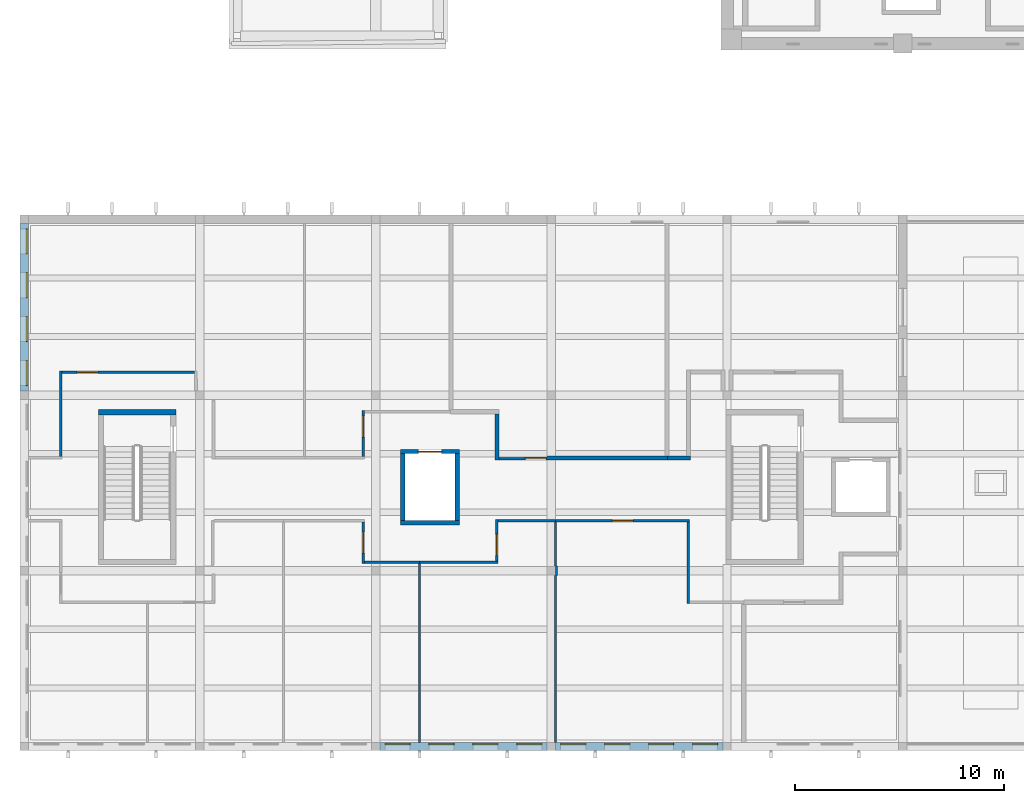
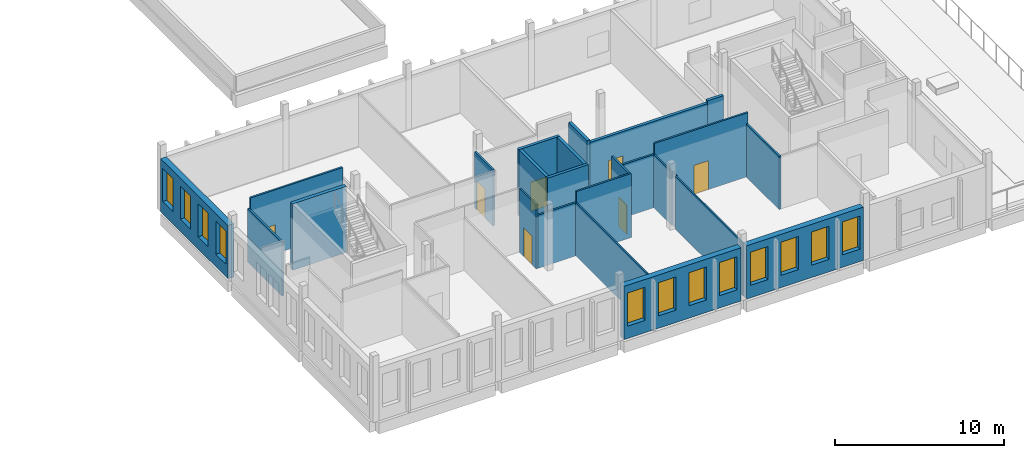
# One storey, part 9 of 79: 25 walls, 12 windows, 7 doors, 19 openings.
"""IFC4 building model written with IfcOpenShell, lengths in metres."""

from ifc_helpers import new_model, si_unit, direction, frame, frame_2d, origin, place, context, subcontext, project, spatial, rectangle, extrude, material, layer, layer_set, type_object, element, fill, save


model = new_model("IFC4")

# Units and contexts
model_context = context("Model", 3, precision=1e-05, world=origin(), true_north=direction((0.0, 1.0)))
body_context = subcontext(model_context, "Body", "Model", "MODEL_VIEW")
ifc_project = project(units=[si_unit("LENGTHUNIT", "METRE"), si_unit("AREAUNIT", "SQUARE_METRE"), si_unit("VOLUMEUNIT", "CUBIC_METRE"), si_unit("PLANEANGLEUNIT", "RADIAN"), si_unit("MASSUNIT", "GRAM", prefix="KILO")], contexts=[model_context])

# Site, building, storey
site_placement = place(None, origin())
site = spatial("IfcSite", under=ifc_project, at=site_placement, CompositionType="ELEMENT")
building_placement = place(site_placement, origin())
building = spatial("IfcBuilding", under=site, at=building_placement, Name="Larchfold Concert Hall", CompositionType="ELEMENT")
storey_placement = place(building_placement, frame((0.0, 0.0, 14.39990234375)))
storey = spatial("IfcBuildingStorey", under=building, at=storey_placement, Name="L03", CompositionType="ELEMENT", Elevation=14.39990234375)

# Wall
ifc_material_1 = material(Name="Plasterboard partition on steel studs", Category="steel")
ifc_layer_1 = layer(ifc_material_1, 0.199951171875)
ifc_layer_set_1 = layer_set([ifc_layer_1], Name="Plasterboard partition on steel studs")
wall_type_1 = type_object("IfcWallType", Name="Acoustic partition 200", PredefinedType="PARTITIONING", material=ifc_layer_set_1)
wall_1_placement = place(storey_placement, frame((23.198974609375, 16.4990234375, 0.0), z_axis=(0.0, 0.0, 1.0), x_axis=(0.000443901854, -0.999999901476, 0.0)))
element("IfcWall", 1, at=wall_1_placement, inside=storey, type_object=wall_type_1, Name="Partition IW0092", PredefinedType="PARTITIONING", context=body_context, shape_type="SweptSolid", body=[
    extrude(rectangle(XDim=2.199951171875, YDim=0.199951171875, at=frame_2d((1.10009765625, 0.0))), origin(), (0.0, 0.0, 1.0), 4.06005859375),
])

# Wall, opening, door
wall_2_placement = place(storey_placement, frame((23.300048828125, 14.39892578125, 0.0), z_axis=(0.0, 0.0, 1.0), x_axis=(1.0, 0.0, 0.0)))
wall_2 = element("IfcWall", 2, at=wall_2_placement, inside=storey, type_object=wall_type_1, Name="Partition IW0093", PredefinedType="PARTITIONING", context=body_context, shape_type="SweptSolid", body=[
    extrude(rectangle(XDim=8.052978515625, YDim=0.199951171875, at=frame_2d((4.0263671875, 0.0))), origin(), (0.0, 0.0, 1.0), 3.860107421875),
])
opening_1_placement = place(wall_2_placement, frame((1.257080078125, 0.0, 0.0)))
opening_1 = element("IfcOpeningElement", 3, at=opening_1_placement, cuts=wall_2, Name="Opening D-L03-126", PredefinedType="OPENING", context=body_context, shape_type="SweptSolid", body=[
    extrude(rectangle(XDim=1.0, YDim=2.10009765625, at=frame_2d((0.5, 1.050048828125))), frame((0.0, 0.10986328125, 0.0), z_axis=(0.0, -1.0, 0.0), x_axis=(1.0, 0.0, 0.0)), (0.0, 0.0, 1.0), 0.219970703125),
])
ifc_material_2 = material(Name="Timber door leaf", Category="wood")
door_type_1 = type_object("IfcDoorType", Name="Practice and studio door, acoustic 1000 x 2100 FD30S", OperationType="SINGLE_SWING_LEFT", PredefinedType="DOOR", material=ifc_material_2)
door_1_placement = place(opening_1_placement, origin())
door_1 = element("IfcDoor", 4, at=door_1_placement, inside=storey, type_object=door_type_1, Name="Door D-L03-126", OperationType="SINGLE_SWING_LEFT", OverallHeight=2.10009765625, OverallWidth=1.0, PredefinedType="DOOR", context=body_context, shape_type="SweptSolid", body=[
    extrude(rectangle(XDim=1.0, YDim=2.10009765625, at=frame_2d((0.5, 1.050048828125))), frame((0.0, 0.02490234375, 0.0), z_axis=(0.0, -1.0, 0.0), x_axis=(1.0, 0.0, 0.0)), (0.0, 0.0, 1.0), 0.050048828125),
])
fill(opening_1, door_1)

# Wall
wall_3_placement = place(storey_placement, frame((31.35302734375, 14.39892578125, 0.0), z_axis=(0.0, 0.0, 1.0), x_axis=(1.0, 0.0, 0.0)))
element("IfcWall", 5, at=wall_3_placement, inside=storey, type_object=wall_type_1, Name="Partition IW0099", PredefinedType="PARTITIONING", context=body_context, shape_type="SweptSolid", body=[
    extrude(rectangle(XDim=1.096923828125, YDim=0.199951171875, at=frame_2d((0.54833984375, 0.0))), origin(), (0.0, 0.0, 1.0), 4.06005859375),
])

# Wall, opening, door
ifc_material_3 = material(Name="Plasterboard partition on steel studs", Category="steel")
ifc_layer_2 = layer(ifc_material_3, 0.125)
ifc_layer_set_2 = layer_set([ifc_layer_2], Name="Plasterboard partition on steel studs")
wall_type_2 = type_object("IfcWallType", Name="Corridor partition 125 EI 60", PredefinedType="PARTITIONING", material=ifc_layer_set_2)
wall_4_placement = place(storey_placement, frame((16.800048828125, 11.33740234375, 0.0), z_axis=(0.0, 0.0, 1.0), x_axis=(0.0, -1.0, 0.0)))
wall_4 = element("IfcWall", 6, at=wall_4_placement, inside=storey, type_object=wall_type_2, Name="Partition IW0067", PredefinedType="PARTITIONING", context=body_context, shape_type="SweptSolid", body=[
    extrude(rectangle(XDim=2.0, YDim=0.125, at=frame_2d((1.0, 0.0))), origin(), (0.0, 0.0, 1.0), 4.64013671875),
])
opening_2_placement = place(wall_4_placement, frame((0.487548828125, 0.0, 0.0)))
opening_2 = element("IfcOpeningElement", 7, at=opening_2_placement, cuts=wall_4, Name="Opening D-L03-120", PredefinedType="OPENING", context=body_context, shape_type="SweptSolid", body=[
    extrude(rectangle(XDim=1.0, YDim=2.10009765625, at=frame_2d((0.5, 1.050048828125))), frame((0.0, 0.072509765625, 0.0), z_axis=(0.0, -1.0, 0.0), x_axis=(1.0, 0.0, 0.0)), (0.0, 0.0, 1.0), 0.14501953125),
])
ifc_material_4 = material(Name="Timber door leaf", Category="wood")
door_type_2 = type_object("IfcDoorType", Name="Room door 1000 x 2100 FD30S", OperationType="SINGLE_SWING_LEFT", PredefinedType="DOOR", material=ifc_material_4)
door_2_placement = place(opening_2_placement, origin())
door_2 = element("IfcDoor", 8, at=door_2_placement, inside=storey, type_object=door_type_2, Name="Door D-L03-120", OperationType="SINGLE_SWING_LEFT", OverallHeight=2.10009765625, OverallWidth=1.0, PredefinedType="DOOR", context=body_context, shape_type="SweptSolid", body=[
    extrude(rectangle(XDim=1.0, YDim=2.10009765625, at=frame_2d((0.5, 1.050048828125))), frame((0.0, 0.02490234375, 0.0), z_axis=(0.0, -1.0, 0.0), x_axis=(1.0, 0.0, 0.0)), (0.0, 0.0, 1.0), 0.050048828125),
])
fill(opening_2, door_2)

# Wall
wall_5_placement = place(storey_placement, frame((16.862548828125, 9.39990234375, 0.0), z_axis=(0.0, 0.0, 1.0), x_axis=(1.0, 0.0, 0.0)))
element("IfcWall", 9, at=wall_5_placement, inside=storey, type_object=wall_type_2, Name="Partition IW0068", PredefinedType="PARTITIONING", context=body_context, shape_type="SweptSolid", body=[
    extrude(rectangle(XDim=2.637451171875, YDim=0.125, at=frame_2d((1.31884765625, 0.0))), origin(), (0.0, 0.0, 1.0), 3.860107421875),
])

# Wall, opening, door
wall_6_placement = place(storey_placement, frame((26.0, 11.39990234375, 0.0), z_axis=(0.0, 0.0, 1.0), x_axis=(1.0, 0.0, 0.0)))
wall_6 = element("IfcWall", 10, at=wall_6_placement, inside=storey, type_object=wall_type_2, Name="Partition IW0072", PredefinedType="PARTITIONING", context=body_context, shape_type="SweptSolid", body=[
    extrude(rectangle(XDim=6.41259765625, YDim=0.125, at=frame_2d((3.206298828125, 0.0))), origin(), (0.0, 0.0, 1.0), 4.64013671875),
])
opening_3_placement = place(wall_6_placement, frame((2.715576171875, 0.0, 0.0)))
opening_3 = element("IfcOpeningElement", 11, at=opening_3_placement, cuts=wall_6, Name="Opening D-L03-121", PredefinedType="OPENING", context=body_context, shape_type="SweptSolid", body=[
    extrude(rectangle(XDim=1.0, YDim=2.10009765625, at=frame_2d((0.5, 1.050048828125))), frame((0.0, 0.072509765625, 0.0), z_axis=(0.0, -1.0, 0.0), x_axis=(1.0, 0.0, 0.0)), (0.0, 0.0, 1.0), 0.14501953125),
])
door_3_placement = place(opening_3_placement, origin())
door_3 = element("IfcDoor", 12, at=door_3_placement, inside=storey, type_object=door_type_2, Name="Door D-L03-121", OperationType="SINGLE_SWING_RIGHT", OverallHeight=2.10009765625, OverallWidth=1.0, PredefinedType="DOOR", context=body_context, shape_type="SweptSolid", body=[
    extrude(rectangle(XDim=1.0, YDim=2.10009765625, at=frame_2d((0.5, 1.050048828125))), frame((0.0, 0.02490234375, 0.0), z_axis=(0.0, -1.0, 0.0), x_axis=(1.0, 0.0, 0.0)), (0.0, 0.0, 1.0), 0.050048828125),
])
fill(opening_3, door_3)

# Walls
wall_7_placement = place(storey_placement, frame((32.35009765625, 11.33740234375, 0.0), z_axis=(0.0, 0.0, 1.0), x_axis=(0.0, -1.0, 0.0)))
element("IfcWall", 13, at=wall_7_placement, inside=storey, type_object=wall_type_2, Name="Partition IW0073", PredefinedType="PARTITIONING", context=body_context, shape_type="SweptSolid", body=[
    extrude(rectangle(XDim=3.89990234375, YDim=0.125, at=frame_2d((1.949951171875, 0.0))), origin(), (0.0, 0.0, 1.0), 3.860107421875),
])
wall_8_placement = place(storey_placement, frame((19.5, 9.39990234375, 0.0), z_axis=(0.0, 0.0, 1.0), x_axis=(1.0, 0.0, 0.0)))
element("IfcWall", 14, at=wall_8_placement, inside=storey, type_object=wall_type_2, Name="Partition IW0082", PredefinedType="PARTITIONING", context=body_context, shape_type="SweptSolid", body=[
    extrude(rectangle(XDim=3.762451171875, YDim=0.125, at=frame_2d((1.88134765625, 0.0))), origin(), (0.0, 0.0, 1.0), 4.64013671875),
])

# Wall, opening, door
wall_9_placement = place(storey_placement, frame((23.199951171875, 9.46240234375, 0.0), z_axis=(0.0, 0.0, 1.0), x_axis=(0.0, 1.0, 0.0)))
wall_9 = element("IfcWall", 15, at=wall_9_placement, inside=storey, type_object=wall_type_2, Name="Partition IW0083", PredefinedType="PARTITIONING", context=body_context, shape_type="SweptSolid", body=[
    extrude(rectangle(XDim=2.0, YDim=0.125, at=frame_2d((1.0, 0.0))), origin(), (0.0, 0.0, 1.0), 4.64013671875),
])
opening_4_placement = place(wall_9_placement, frame((0.27783203125, 0.0, 0.0)))
opening_4 = element("IfcOpeningElement", 16, at=opening_4_placement, cuts=wall_9, Name="Opening D-L03-124", PredefinedType="OPENING", context=body_context, shape_type="SweptSolid", body=[
    extrude(rectangle(XDim=1.0, YDim=2.10009765625, at=frame_2d((0.5, 1.050048828125))), frame((0.0, 0.072509765625, 0.0), z_axis=(0.0, -1.0, 0.0), x_axis=(1.0, 0.0, 0.0)), (0.0, 0.0, 1.0), 0.14501953125),
])
door_4_placement = place(opening_4_placement, origin())
door_4 = element("IfcDoor", 17, at=door_4_placement, inside=storey, type_object=door_type_2, Name="Door D-L03-124", OperationType="SINGLE_SWING_LEFT", OverallHeight=2.10009765625, OverallWidth=1.0, PredefinedType="DOOR", context=body_context, shape_type="SweptSolid", body=[
    extrude(rectangle(XDim=1.0, YDim=2.10009765625, at=frame_2d((0.5, 1.050048828125))), frame((0.0, 0.02490234375, 0.0), z_axis=(0.0, -1.0, 0.0), x_axis=(1.0, 0.0, 0.0)), (0.0, 0.0, 1.0), 0.050048828125),
])
fill(opening_4, door_4)

# Walls
wall_10_placement = place(storey_placement, frame((23.262451171875, 11.39990234375, 0.0), z_axis=(0.0, 0.0, 1.0), x_axis=(1.0, 0.0, 0.0)))
element("IfcWall", 18, at=wall_10_placement, inside=storey, type_object=wall_type_2, Name="Partition IW0084", PredefinedType="PARTITIONING", context=body_context, shape_type="SweptSolid", body=[
    extrude(rectangle(XDim=2.737548828125, YDim=0.125, at=frame_2d((1.36865234375, 0.0))), origin(), (0.0, 0.0, 1.0), 3.860107421875),
])
wall_11_placement = place(storey_placement, frame((2.35107421875, 14.46240234375, 0.0), z_axis=(0.0, 0.0, 1.0), x_axis=(0.0, 1.0, 0.0)))
element("IfcWall", 19, at=wall_11_placement, inside=storey, type_object=wall_type_2, Name="Partition IW0086", PredefinedType="PARTITIONING", context=body_context, shape_type="SweptSolid", body=[
    extrude(rectangle(XDim=4.09912109375, YDim=0.125, at=frame_2d((2.049560546875, 0.0))), origin(), (0.0, 0.0, 1.0), 3.860107421875),
])

# Wall, opening, door
wall_12_placement = place(storey_placement, frame((2.41357421875, 18.4990234375, 0.0), z_axis=(0.0, 0.0, 1.0), x_axis=(1.0, 0.0, 0.0)))
wall_12 = element("IfcWall", 20, at=wall_12_placement, inside=storey, type_object=wall_type_2, Name="Partition IW0087", PredefinedType="PARTITIONING", context=body_context, shape_type="SweptSolid", body=[
    extrude(rectangle(XDim=6.333984375, YDim=0.125, at=frame_2d((3.1669921875, 0.0))), origin(), (0.0, 0.0, 1.0), 4.64013671875),
])
opening_5_placement = place(wall_12_placement, frame((0.71240234375, 0.0, 0.0)))
opening_5 = element("IfcOpeningElement", 21, at=opening_5_placement, cuts=wall_12, Name="Opening D-L03-125", PredefinedType="OPENING", context=body_context, shape_type="SweptSolid", body=[
    extrude(rectangle(XDim=1.0, YDim=2.10009765625, at=frame_2d((0.5, 1.050048828125))), frame((0.0, 0.072509765625, 0.0), z_axis=(0.0, -1.0, 0.0), x_axis=(1.0, 0.0, 0.0)), (0.0, 0.0, 1.0), 0.14501953125),
])
door_5_placement = place(opening_5_placement, origin())
door_5 = element("IfcDoor", 22, at=door_5_placement, inside=storey, type_object=door_type_2, Name="Door D-L03-125", OperationType="SINGLE_SWING_RIGHT", OverallHeight=2.10009765625, OverallWidth=1.0, PredefinedType="DOOR", context=body_context, shape_type="SweptSolid", body=[
    extrude(rectangle(XDim=1.0, YDim=2.10009765625, at=frame_2d((0.5, 1.050048828125))), frame((0.0, 0.02490234375, 0.0), z_axis=(0.0, -1.0, 0.0), x_axis=(1.0, 0.0, 0.0)), (0.0, 0.0, 1.0), 0.050048828125),
])
fill(opening_5, door_5)

wall_13_placement = place(storey_placement, frame((16.800048828125, 14.46142578125, 0.0), z_axis=(0.0, 0.0, 1.0), x_axis=(0.000443852597, 0.999999901497, 0.0)))
wall_13 = element("IfcWall", 23, at=wall_13_placement, inside=storey, type_object=wall_type_2, Name="Partition IW0103", PredefinedType="PARTITIONING", context=body_context, shape_type="SweptSolid", body=[
    extrude(rectangle(XDim=2.2001953125, YDim=0.125, at=frame_2d((1.10009765625, 0.0))), origin(), (0.0, 0.0, 1.0), 4.06005859375),
])
opening_6_placement = place(wall_13_placement, frame((0.928955078125, 0.0, 0.0)))
opening_6 = element("IfcOpeningElement", 24, at=opening_6_placement, cuts=wall_13, Name="Opening D-L03-128", PredefinedType="OPENING", context=body_context, shape_type="SweptSolid", body=[
    extrude(rectangle(XDim=1.0, YDim=2.10009765625, at=frame_2d((0.5, 1.050048828125))), frame((0.0, 0.072509765625, 0.0), z_axis=(0.0, -1.0, 0.0), x_axis=(1.0, 0.0, 0.0)), (0.0, 0.0, 1.0), 0.14501953125),
])
door_6_placement = place(opening_6_placement, origin())
door_6 = element("IfcDoor", 25, at=door_6_placement, inside=storey, type_object=door_type_2, Name="Door D-L03-128", OperationType="SINGLE_SWING_LEFT", OverallHeight=2.10009765625, OverallWidth=1.0, PredefinedType="DOOR", context=body_context, shape_type="SweptSolid", body=[
    extrude(rectangle(XDim=1.0, YDim=2.10009765625, at=frame_2d((0.5, 1.050048828125))), frame((0.0, 0.02490234375, 0.0), z_axis=(0.0, -1.0, 0.0), x_axis=(1.0, 0.0, 0.0)), (0.0, 0.0, 1.0), 0.050048828125),
])
fill(opening_6, door_6)

# Wall, openings, windows
ifc_material_5 = material(Name="Larch cladding on mineral wool and CLT", Category="wood")
ifc_layer_3 = layer(ifc_material_5, 0.39990234375)
ifc_layer_set_3 = layer_set([ifc_layer_3], Name="Larch cladding on mineral wool and CLT")
wall_type_3 = type_object("IfcWallType", Name="Larch clad infill wall 400", PredefinedType="SOLIDWALL", material=ifc_layer_set_3)
wall_14_placement = place(storey_placement, frame((0.60009765625, 25.60009765625, 0.0), z_axis=(0.0, 0.0, 1.0), x_axis=(0.0, -1.0, 0.0)))
wall_14 = element("IfcWall", 26, at=wall_14_placement, inside=storey, type_object=wall_type_3, Name="Infill wall W5060", PredefinedType="SOLIDWALL", context=body_context, shape_type="SweptSolid", body=[
    extrude(rectangle(XDim=8.000244140625, YDim=0.39990234375, at=frame_2d((4.0, 0.0))), origin(), (0.0, 0.0, 1.0), 3.860107421875),
])
opening_7_placement = place(wall_14_placement, frame((6.550048828125, 0.0, 0.89990234375)))
opening_7 = element("IfcOpeningElement", 27, at=opening_7_placement, cuts=wall_14, Name="Opening WN-L03-024", PredefinedType="OPENING", context=body_context, shape_type="SweptSolid", body=[
    extrude(rectangle(XDim=1.199951171875, YDim=2.39990234375, at=frame_2d((0.60009765625, 1.199951171875))), frame((0.0, 0.2099609375, 0.0), z_axis=(0.0, -1.0, 0.0), x_axis=(1.0, 0.0, 0.0)), (0.0, 0.0, 1.0), 0.419921875),
])
opening_8_placement = place(wall_14_placement, frame((4.4501953125, 0.0, 0.89990234375)))
opening_8 = element("IfcOpeningElement", 28, at=opening_8_placement, cuts=wall_14, Name="Opening WN-L03-025", PredefinedType="OPENING", context=body_context, shape_type="SweptSolid", body=[
    extrude(rectangle(XDim=1.199951171875, YDim=2.39990234375, at=frame_2d((0.60009765625, 1.199951171875))), frame((0.0, 0.2099609375, 0.0), z_axis=(0.0, -1.0, 0.0), x_axis=(1.0, 0.0, 0.0)), (0.0, 0.0, 1.0), 0.419921875),
])
opening_9_placement = place(wall_14_placement, frame((2.35009765625, 0.0, 0.89990234375)))
opening_9 = element("IfcOpeningElement", 29, at=opening_9_placement, cuts=wall_14, Name="Opening WN-L03-026", PredefinedType="OPENING", context=body_context, shape_type="SweptSolid", body=[
    extrude(rectangle(XDim=1.199951171875, YDim=2.39990234375, at=frame_2d((0.60009765625, 1.199951171875))), frame((0.0, 0.2099609375, 0.0), z_axis=(0.0, -1.0, 0.0), x_axis=(1.0, 0.0, 0.0)), (0.0, 0.0, 1.0), 0.419921875),
])
opening_10_placement = place(wall_14_placement, frame((0.25, 0.0, 0.89990234375)))
opening_10 = element("IfcOpeningElement", 30, at=opening_10_placement, cuts=wall_14, Name="Opening WN-L03-027", PredefinedType="OPENING", context=body_context, shape_type="SweptSolid", body=[
    extrude(rectangle(XDim=1.199951171875, YDim=2.39990234375, at=frame_2d((0.60009765625, 1.199951171875))), frame((0.0, 0.2099609375, 0.0), z_axis=(0.0, -1.0, 0.0), x_axis=(1.0, 0.0, 0.0)), (0.0, 0.0, 1.0), 0.419921875),
])
ifc_material_6 = material(Name="Anodised graphite aluminium frame with glass", Category="aluminium")
window_type = type_object("IfcWindowType", Name="Slot window 1200x2400", PartitioningType="SINGLE_PANEL", PredefinedType="WINDOW", material=ifc_material_6)
window_1_placement = place(opening_7_placement, origin())
window_1 = element("IfcWindow", 31, at=window_1_placement, inside=storey, type_object=window_type, Name="Window WN-L03-024", OverallHeight=2.39990234375, OverallWidth=1.199951171875, PartitioningType="SINGLE_PANEL", PredefinedType="WINDOW", context=body_context, shape_type="SweptSolid", body=[
    extrude(rectangle(XDim=1.199951171875, YDim=2.39990234375, at=frame_2d((0.60009765625, 1.199951171875))), frame((0.0, 0.150146484375, 0.0), z_axis=(0.0, -1.0, 0.0), x_axis=(1.0, 0.0, 0.0)), (0.0, 0.0, 1.0), 0.06005859375),
])
fill(opening_7, window_1)
window_2_placement = place(opening_8_placement, origin())
window_2 = element("IfcWindow", 32, at=window_2_placement, inside=storey, type_object=window_type, Name="Window WN-L03-025", OverallHeight=2.39990234375, OverallWidth=1.199951171875, PartitioningType="SINGLE_PANEL", PredefinedType="WINDOW", context=body_context, shape_type="SweptSolid", body=[
    extrude(rectangle(XDim=1.199951171875, YDim=2.39990234375, at=frame_2d((0.60009765625, 1.199951171875))), frame((0.0, 0.150146484375, 0.0), z_axis=(0.0, -1.0, 0.0), x_axis=(1.0, 0.0, 0.0)), (0.0, 0.0, 1.0), 0.06005859375),
])
fill(opening_8, window_2)
window_3_placement = place(opening_9_placement, origin())
window_3 = element("IfcWindow", 33, at=window_3_placement, inside=storey, type_object=window_type, Name="Window WN-L03-026", OverallHeight=2.39990234375, OverallWidth=1.199951171875, PartitioningType="SINGLE_PANEL", PredefinedType="WINDOW", context=body_context, shape_type="SweptSolid", body=[
    extrude(rectangle(XDim=1.199951171875, YDim=2.39990234375, at=frame_2d((0.60009765625, 1.199951171875))), frame((0.0, 0.150146484375, 0.0), z_axis=(0.0, -1.0, 0.0), x_axis=(1.0, 0.0, 0.0)), (0.0, 0.0, 1.0), 0.06005859375),
])
fill(opening_9, window_3)
window_4_placement = place(opening_10_placement, origin())
window_4 = element("IfcWindow", 34, at=window_4_placement, inside=storey, type_object=window_type, Name="Window WN-L03-027", OverallHeight=2.39990234375, OverallWidth=1.199951171875, PartitioningType="SINGLE_PANEL", PredefinedType="WINDOW", context=body_context, shape_type="SweptSolid", body=[
    extrude(rectangle(XDim=1.199951171875, YDim=2.39990234375, at=frame_2d((0.60009765625, 1.199951171875))), frame((0.0, 0.150146484375, 0.0), z_axis=(0.0, -1.0, 0.0), x_axis=(1.0, 0.0, 0.0)), (0.0, 0.0, 1.0), 0.06005859375),
])
fill(opening_10, window_4)

wall_15_placement = place(storey_placement, frame((17.599853515625, 0.60009765625, 0.0), z_axis=(0.0, 0.0, 1.0), x_axis=(1.0, 0.0, 0.0)))
wall_15 = element("IfcWall", 35, at=wall_15_placement, inside=storey, type_object=wall_type_3, Name="Infill wall W5065", PredefinedType="SOLIDWALL", context=body_context, shape_type="SweptSolid", body=[
    extrude(rectangle(XDim=8.000244140625, YDim=0.39990234375, at=frame_2d((4.0, 0.0))), origin(), (0.0, 0.0, 1.0), 3.860107421875),
])
opening_11_placement = place(wall_15_placement, frame((0.250244140625, 0.0, 0.89990234375)))
opening_11 = element("IfcOpeningElement", 36, at=opening_11_placement, cuts=wall_15, Name="Opening WN-L03-044", PredefinedType="OPENING", context=body_context, shape_type="SweptSolid", body=[
    extrude(rectangle(XDim=1.199951171875, YDim=2.39990234375, at=frame_2d((0.60009765625, 1.199951171875))), frame((0.0, 0.2099609375, 0.0), z_axis=(0.0, -1.0, 0.0), x_axis=(1.0, 0.0, 0.0)), (0.0, 0.0, 1.0), 0.419921875),
])
opening_12_placement = place(wall_15_placement, frame((2.35009765625, 0.0, 0.89990234375)))
opening_12 = element("IfcOpeningElement", 37, at=opening_12_placement, cuts=wall_15, Name="Opening WN-L03-045", PredefinedType="OPENING", context=body_context, shape_type="SweptSolid", body=[
    extrude(rectangle(XDim=1.199951171875, YDim=2.39990234375, at=frame_2d((0.60009765625, 1.199951171875))), frame((0.0, 0.2099609375, 0.0), z_axis=(0.0, -1.0, 0.0), x_axis=(1.0, 0.0, 0.0)), (0.0, 0.0, 1.0), 0.419921875),
])
opening_13_placement = place(wall_15_placement, frame((4.4501953125, 0.0, 0.89990234375)))
opening_13 = element("IfcOpeningElement", 38, at=opening_13_placement, cuts=wall_15, Name="Opening WN-L03-046", PredefinedType="OPENING", context=body_context, shape_type="SweptSolid", body=[
    extrude(rectangle(XDim=1.199951171875, YDim=2.39990234375, at=frame_2d((0.60009765625, 1.199951171875))), frame((0.0, 0.2099609375, 0.0), z_axis=(0.0, -1.0, 0.0), x_axis=(1.0, 0.0, 0.0)), (0.0, 0.0, 1.0), 0.419921875),
])
opening_14_placement = place(wall_15_placement, frame((6.550048828125, 0.0, 0.89990234375)))
opening_14 = element("IfcOpeningElement", 39, at=opening_14_placement, cuts=wall_15, Name="Opening WN-L03-047", PredefinedType="OPENING", context=body_context, shape_type="SweptSolid", body=[
    extrude(rectangle(XDim=1.199951171875, YDim=2.39990234375, at=frame_2d((0.60009765625, 1.199951171875))), frame((0.0, 0.2099609375, 0.0), z_axis=(0.0, -1.0, 0.0), x_axis=(1.0, 0.0, 0.0)), (0.0, 0.0, 1.0), 0.419921875),
])
window_5_placement = place(opening_11_placement, origin())
window_5 = element("IfcWindow", 40, at=window_5_placement, inside=storey, type_object=window_type, Name="Window WN-L03-044", OverallHeight=2.39990234375, OverallWidth=1.199951171875, PartitioningType="SINGLE_PANEL", PredefinedType="WINDOW", context=body_context, shape_type="SweptSolid", body=[
    extrude(rectangle(XDim=1.199951171875, YDim=2.39990234375, at=frame_2d((0.60009765625, 1.199951171875))), frame((0.0, 0.150146484375, 0.0), z_axis=(0.0, -1.0, 0.0), x_axis=(1.0, 0.0, 0.0)), (0.0, 0.0, 1.0), 0.06005859375),
])
fill(opening_11, window_5)
window_6_placement = place(opening_12_placement, origin())
window_6 = element("IfcWindow", 41, at=window_6_placement, inside=storey, type_object=window_type, Name="Window WN-L03-045", OverallHeight=2.39990234375, OverallWidth=1.199951171875, PartitioningType="SINGLE_PANEL", PredefinedType="WINDOW", context=body_context, shape_type="SweptSolid", body=[
    extrude(rectangle(XDim=1.199951171875, YDim=2.39990234375, at=frame_2d((0.60009765625, 1.199951171875))), frame((0.0, 0.150146484375, 0.0), z_axis=(0.0, -1.0, 0.0), x_axis=(1.0, 0.0, 0.0)), (0.0, 0.0, 1.0), 0.06005859375),
])
fill(opening_12, window_6)
window_7_placement = place(opening_13_placement, origin())
window_7 = element("IfcWindow", 42, at=window_7_placement, inside=storey, type_object=window_type, Name="Window WN-L03-046", OverallHeight=2.39990234375, OverallWidth=1.199951171875, PartitioningType="SINGLE_PANEL", PredefinedType="WINDOW", context=body_context, shape_type="SweptSolid", body=[
    extrude(rectangle(XDim=1.199951171875, YDim=2.39990234375, at=frame_2d((0.60009765625, 1.199951171875))), frame((0.0, 0.150146484375, 0.0), z_axis=(0.0, -1.0, 0.0), x_axis=(1.0, 0.0, 0.0)), (0.0, 0.0, 1.0), 0.06005859375),
])
fill(opening_13, window_7)
window_8_placement = place(opening_14_placement, origin())
window_8 = element("IfcWindow", 43, at=window_8_placement, inside=storey, type_object=window_type, Name="Window WN-L03-047", OverallHeight=2.39990234375, OverallWidth=1.199951171875, PartitioningType="SINGLE_PANEL", PredefinedType="WINDOW", context=body_context, shape_type="SweptSolid", body=[
    extrude(rectangle(XDim=1.199951171875, YDim=2.39990234375, at=frame_2d((0.60009765625, 1.199951171875))), frame((0.0, 0.150146484375, 0.0), z_axis=(0.0, -1.0, 0.0), x_axis=(1.0, 0.0, 0.0)), (0.0, 0.0, 1.0), 0.06005859375),
])
fill(opening_14, window_8)

wall_16_placement = place(storey_placement, frame((26.0, 0.60009765625, 0.0), z_axis=(0.0, 0.0, 1.0), x_axis=(1.0, 0.0, 0.0)))
wall_16 = element("IfcWall", 44, at=wall_16_placement, inside=storey, type_object=wall_type_3, Name="Infill wall W5066", PredefinedType="SOLIDWALL", context=body_context, shape_type="SweptSolid", body=[
    extrude(rectangle(XDim=8.0, YDim=0.39990234375, at=frame_2d((4.0, 0.0))), origin(), (0.0, 0.0, 1.0), 3.860107421875),
])
opening_15_placement = place(wall_16_placement, frame((0.25, 0.0, 0.89990234375)))
opening_15 = element("IfcOpeningElement", 45, at=opening_15_placement, cuts=wall_16, Name="Opening WN-L03-048", PredefinedType="OPENING", context=body_context, shape_type="SweptSolid", body=[
    extrude(rectangle(XDim=1.199951171875, YDim=2.39990234375, at=frame_2d((0.60009765625, 1.199951171875))), frame((0.0, 0.2099609375, 0.0), z_axis=(0.0, -1.0, 0.0), x_axis=(1.0, 0.0, 0.0)), (0.0, 0.0, 1.0), 0.419921875),
])
opening_16_placement = place(wall_16_placement, frame((2.35009765625, 0.0, 0.89990234375)))
opening_16 = element("IfcOpeningElement", 46, at=opening_16_placement, cuts=wall_16, Name="Opening WN-L03-049", PredefinedType="OPENING", context=body_context, shape_type="SweptSolid", body=[
    extrude(rectangle(XDim=1.199951171875, YDim=2.39990234375, at=frame_2d((0.60009765625, 1.199951171875))), frame((0.0, 0.2099609375, 0.0), z_axis=(0.0, -1.0, 0.0), x_axis=(1.0, 0.0, 0.0)), (0.0, 0.0, 1.0), 0.419921875),
])
opening_17_placement = place(wall_16_placement, frame((4.449951171875, 0.0, 0.89990234375)))
opening_17 = element("IfcOpeningElement", 47, at=opening_17_placement, cuts=wall_16, Name="Opening WN-L03-050", PredefinedType="OPENING", context=body_context, shape_type="SweptSolid", body=[
    extrude(rectangle(XDim=1.199951171875, YDim=2.39990234375, at=frame_2d((0.60009765625, 1.199951171875))), frame((0.0, 0.2099609375, 0.0), z_axis=(0.0, -1.0, 0.0), x_axis=(1.0, 0.0, 0.0)), (0.0, 0.0, 1.0), 0.419921875),
])
opening_18_placement = place(wall_16_placement, frame((6.550048828125, 0.0, 0.89990234375)))
opening_18 = element("IfcOpeningElement", 48, at=opening_18_placement, cuts=wall_16, Name="Opening WN-L03-051", PredefinedType="OPENING", context=body_context, shape_type="SweptSolid", body=[
    extrude(rectangle(XDim=1.199951171875, YDim=2.39990234375, at=frame_2d((0.60009765625, 1.199951171875))), frame((0.0, 0.2099609375, 0.0), z_axis=(0.0, -1.0, 0.0), x_axis=(1.0, 0.0, 0.0)), (0.0, 0.0, 1.0), 0.419921875),
])
window_9_placement = place(opening_15_placement, origin())
window_9 = element("IfcWindow", 49, at=window_9_placement, inside=storey, type_object=window_type, Name="Window WN-L03-048", OverallHeight=2.39990234375, OverallWidth=1.199951171875, PartitioningType="SINGLE_PANEL", PredefinedType="WINDOW", context=body_context, shape_type="SweptSolid", body=[
    extrude(rectangle(XDim=1.199951171875, YDim=2.39990234375, at=frame_2d((0.60009765625, 1.199951171875))), frame((0.0, 0.150146484375, 0.0), z_axis=(0.0, -1.0, 0.0), x_axis=(1.0, 0.0, 0.0)), (0.0, 0.0, 1.0), 0.06005859375),
])
fill(opening_15, window_9)
window_10_placement = place(opening_16_placement, origin())
window_10 = element("IfcWindow", 50, at=window_10_placement, inside=storey, type_object=window_type, Name="Window WN-L03-049", OverallHeight=2.39990234375, OverallWidth=1.199951171875, PartitioningType="SINGLE_PANEL", PredefinedType="WINDOW", context=body_context, shape_type="SweptSolid", body=[
    extrude(rectangle(XDim=1.199951171875, YDim=2.39990234375, at=frame_2d((0.60009765625, 1.199951171875))), frame((0.0, 0.150146484375, 0.0), z_axis=(0.0, -1.0, 0.0), x_axis=(1.0, 0.0, 0.0)), (0.0, 0.0, 1.0), 0.06005859375),
])
fill(opening_16, window_10)
window_11_placement = place(opening_17_placement, origin())
window_11 = element("IfcWindow", 51, at=window_11_placement, inside=storey, type_object=window_type, Name="Window WN-L03-050", OverallHeight=2.39990234375, OverallWidth=1.199951171875, PartitioningType="SINGLE_PANEL", PredefinedType="WINDOW", context=body_context, shape_type="SweptSolid", body=[
    extrude(rectangle(XDim=1.199951171875, YDim=2.39990234375, at=frame_2d((0.60009765625, 1.199951171875))), frame((0.0, 0.150146484375, 0.0), z_axis=(0.0, -1.0, 0.0), x_axis=(1.0, 0.0, 0.0)), (0.0, 0.0, 1.0), 0.06005859375),
])
fill(opening_17, window_11)
window_12_placement = place(opening_18_placement, origin())
window_12 = element("IfcWindow", 52, at=window_12_placement, inside=storey, type_object=window_type, Name="Window WN-L03-051", OverallHeight=2.39990234375, OverallWidth=1.199951171875, PartitioningType="SINGLE_PANEL", PredefinedType="WINDOW", context=body_context, shape_type="SweptSolid", body=[
    extrude(rectangle(XDim=1.199951171875, YDim=2.39990234375, at=frame_2d((0.60009765625, 1.199951171875))), frame((0.0, 0.150146484375, 0.0), z_axis=(0.0, -1.0, 0.0), x_axis=(1.0, 0.0, 0.0)), (0.0, 0.0, 1.0), 0.06005859375),
])
fill(opening_18, window_12)

# Walls
ifc_material_7 = material(Name="Plasterboard partition on steel studs", Category="steel")
ifc_layer_4 = layer(ifc_material_7, 0.10009765625)
ifc_layer_set_4 = layer_set([ifc_layer_4], Name="Plasterboard partition on steel studs")
wall_type_4 = type_object("IfcWallType", Name="Stud partition 100", PredefinedType="PARTITIONING", material=ifc_layer_set_4)
wall_17_placement = place(storey_placement, frame((19.5, 9.33740234375, 0.0), z_axis=(0.0, 0.0, 1.0), x_axis=(0.0, -1.0, 0.0)))
element("IfcWall", 53, at=wall_17_placement, inside=storey, type_object=wall_type_4, Name="Partition IW0065", PredefinedType="PARTITIONING", context=body_context, shape_type="SweptSolid", body=[
    extrude(rectangle(XDim=8.537353515625, YDim=0.10009765625, at=frame_2d((4.2685546875, 0.0))), origin(), (0.0, 0.0, 1.0), 3.860107421875),
])
wall_18_placement = place(storey_placement, frame((26.0, 0.800048828125, 0.0), z_axis=(0.0, 0.0, 1.0), x_axis=(0.0, 1.0, 0.0)))
element("IfcWall", 54, at=wall_18_placement, inside=storey, type_object=wall_type_4, Name="Partition IW0070", PredefinedType="PARTITIONING", context=body_context, shape_type="SweptSolid", body=[
    extrude(rectangle(XDim=7.97998046875, YDim=0.10009765625, at=frame_2d((3.989990234375, 0.0))), origin(), (0.0, 0.0, 1.0), 3.860107421875),
])
wall_19_placement = place(storey_placement, frame((26.0, 9.219970703125, 0.0), z_axis=(0.0, 0.0, 1.0), x_axis=(0.0, 1.0, 0.0)))
element("IfcWall", 55, at=wall_19_placement, inside=storey, type_object=wall_type_4, Name="Partition IW0071", PredefinedType="PARTITIONING", context=body_context, shape_type="SweptSolid", body=[
    extrude(rectangle(XDim=2.117431640625, YDim=0.10009765625, at=frame_2d((1.05859375, 0.0))), origin(), (0.0, 0.0, 1.0), 3.860107421875),
])
wall_20_placement = place(storey_placement, frame((26.050048828125, 8.780029296875, 0.0), z_axis=(0.0, 0.0, 1.0), x_axis=(0.0, 1.0, 0.0)))
element("IfcWall", 56, at=wall_20_placement, inside=storey, type_object=wall_type_4, Name="Partition IW0108", PredefinedType="PARTITIONING", context=body_context, shape_type="SweptSolid", body=[
    extrude(rectangle(XDim=0.43994140625, YDim=0.10009765625, at=frame_2d((0.219970703125, 0.0))), origin(), (0.0, 0.0, 1.0), 3.860107421875),
])
ifc_material_8 = material(Name="Concrete C40/50", Category="concrete")
ifc_layer_5 = layer(ifc_material_8, 0.199951171875)
ifc_layer_set_5 = layer_set([ifc_layer_5], Name="Concrete C40/50")
wall_type_5 = type_object("IfcWallType", Name="Wall RC 200 lift shaft", PredefinedType="SOLIDWALL", material=ifc_layer_set_5)
wall_21_placement = place(storey_placement, frame((18.60009765625, 11.300048828125, 0.0), z_axis=(0.0, 0.0, 1.0), x_axis=(1.0, 0.0, 0.0)))
element("IfcWall", 57, at=wall_21_placement, inside=storey, type_object=wall_type_5, Name="Wall W0142", PredefinedType="SOLIDWALL", context=body_context, shape_type="SweptSolid", body=[
    extrude(rectangle(XDim=2.7998046875, YDim=0.199951171875, at=frame_2d((1.39990234375, 0.0))), origin(), (0.0, 0.0, 1.0), 4.800048828125),
])

# Wall, opening, door
wall_22_placement = place(storey_placement, frame((18.60009765625, 14.699951171875, 0.0), z_axis=(0.0, 0.0, 1.0), x_axis=(1.0, 0.0, 0.0)))
wall_22 = element("IfcWall", 58, at=wall_22_placement, inside=storey, type_object=wall_type_5, Name="Wall W0143", PredefinedType="SOLIDWALL", context=body_context, shape_type="SweptSolid", body=[
    extrude(rectangle(XDim=2.7998046875, YDim=0.199951171875, at=frame_2d((1.39990234375, 0.0))), origin(), (0.0, 0.0, 1.0), 4.800048828125),
])
opening_19_placement = place(wall_22_placement, frame((0.849853515625, 0.0, 0.0)))
opening_19 = element("IfcOpeningElement", 59, at=opening_19_placement, cuts=wall_22, Name="Opening LD-LF10", PredefinedType="OPENING", context=body_context, shape_type="SweptSolid", body=[
    extrude(rectangle(XDim=1.10009765625, YDim=2.10009765625, at=frame_2d((0.550048828125, 1.050048828125))), frame((0.0, 0.10986328125, 0.0), z_axis=(0.0, -1.0, 0.0), x_axis=(1.0, 0.0, 0.0)), (0.0, 0.0, 1.0), 0.219970703125),
])
ifc_material_9 = material(Name="Stainless steel sliding leaves", Category="steel")
door_type_3 = type_object("IfcDoorType", Name="Lift landing door sliding 1100 x 2100", OperationType="SLIDING_TO_LEFT", PredefinedType="DOOR", material=ifc_material_9)
door_7_placement = place(opening_19_placement, origin())
door_7 = element("IfcDoor", 60, at=door_7_placement, inside=storey, type_object=door_type_3, Name="Lift landing door LF10", OperationType="SLIDING_TO_LEFT", OverallHeight=2.10009765625, OverallWidth=1.10009765625, PredefinedType="DOOR", context=body_context, shape_type="SweptSolid", body=[
    extrude(rectangle(XDim=1.10009765625, YDim=2.10009765625, at=frame_2d((0.550048828125, 1.050048828125))), frame((0.0, 0.02490234375, 0.0), z_axis=(0.0, -1.0, 0.0), x_axis=(1.0, 0.0, 0.0)), (0.0, 0.0, 1.0), 0.050048828125),
])
fill(opening_19, door_7)

# Walls
for number, where, z_axis, x_axis, name in (
    (61, (18.7001953125, 11.39990234375, 0.0), (0.0, 0.0, 1.0), (0.0, 1.0, 0.0), "Wall W0144"),
    (62, (21.2998046875, 11.39990234375, 0.0), (0.0, 0.0, 1.0), (0.0, 1.0, 0.0), "Wall W0145"),
):
    element("IfcWall", number, at=place(storey_placement, frame(where, z_axis=z_axis, x_axis=x_axis)), inside=storey, type_object=wall_type_5, Name=name, PredefinedType="SOLIDWALL", context=body_context, shape_type="SweptSolid", body=[
        extrude(rectangle(XDim=3.2001953125, YDim=0.199951171875, at=frame_2d((1.60009765625, 0.0))), origin(), (0.0, 0.0, 1.0), 4.800048828125),
    ])
ifc_material_10 = material(Name="Concrete C40/50", Category="concrete")
ifc_layer_6 = layer(ifc_material_10, 0.25)
ifc_layer_set_6 = layer_set([ifc_layer_6], Name="Concrete C40/50")
wall_type_6 = type_object("IfcWallType", Name="Wall RC 250 stair core", PredefinedType="SOLIDWALL", material=ifc_layer_set_6)
wall_23_placement = place(storey_placement, frame((4.14990234375, 16.574951171875, 0.0), z_axis=(0.0, 0.0, 1.0), x_axis=(1.0, 0.0, 0.0)))
element("IfcWall", 63, at=wall_23_placement, inside=storey, type_object=wall_type_6, Name="Wall W0103", PredefinedType="SOLIDWALL", context=body_context, shape_type="SweptSolid", body=[
    extrude(rectangle(XDim=3.7001953125, YDim=0.25, at=frame_2d((1.85009765625, 0.0))), origin(), (0.0, 0.0, 1.0), 4.800048828125),
])

save(model, "model.ifc")
